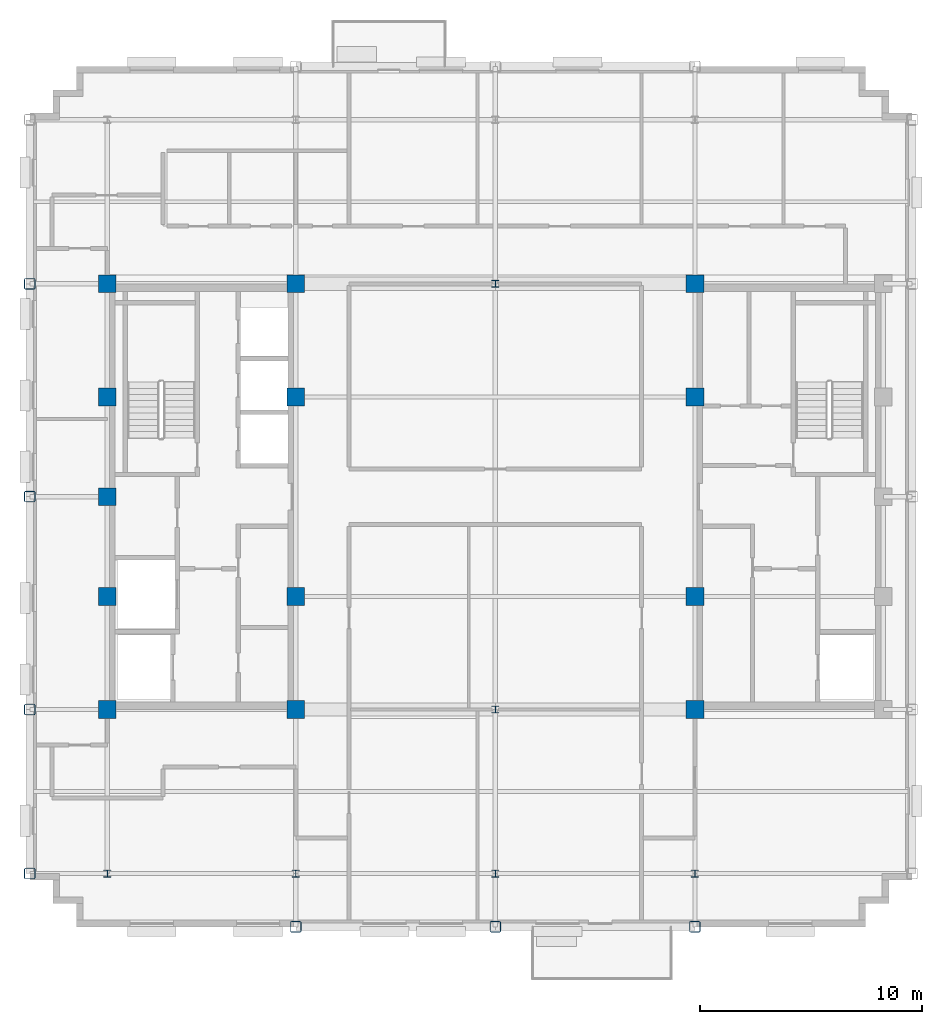
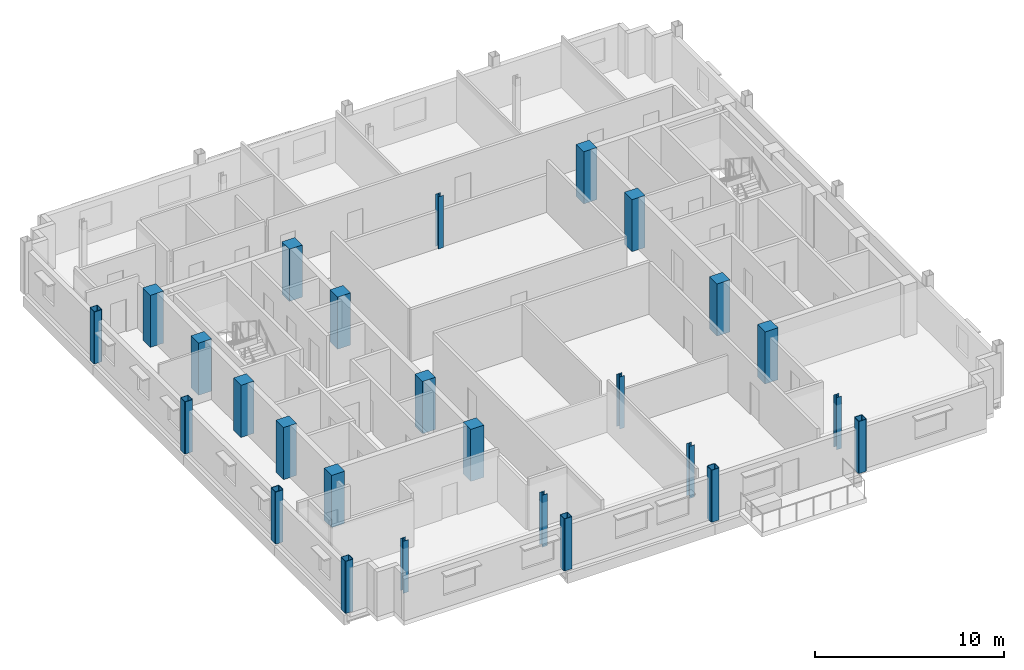
# One storey, part 1 of 13: 26 columns.
"""IFC4 building model written with IfcOpenShell, lengths in metres."""

from ifc_helpers import new_model, si_unit, direction, frame, origin, origin_2d, place, context, subcontext, project, spatial, rectangle, hollow_rectangle, i_section, extrude, material, material_profile, profile_set, type_object, element, save


model = new_model("IFC4")

# Units and contexts
model_context = context("Model", 3, precision=1e-05, world=origin(), true_north=direction((0.0, 1.0)))
body_context = subcontext(model_context, "Body", "Model", "MODEL_VIEW")
ifc_project = project(units=[si_unit("LENGTHUNIT", "METRE"), si_unit("AREAUNIT", "SQUARE_METRE"), si_unit("VOLUMEUNIT", "CUBIC_METRE"), si_unit("PLANEANGLEUNIT", "RADIAN"), si_unit("MASSUNIT", "GRAM", prefix="KILO")], contexts=[model_context])

# Site, building, storey
site_placement = place(None, origin())
site = spatial("IfcSite", under=ifc_project, at=site_placement, CompositionType="ELEMENT")
building_placement = place(site_placement, origin())
building = spatial("IfcBuilding", under=site, at=building_placement, Name="Nuvemarco Arch Tower", CompositionType="ELEMENT")
storey_placement = place(building_placement, frame((0.0, 0.0, 257.949951171875)))
storey = spatial("IfcBuildingStorey", under=building, at=storey_placement, Name="L68", CompositionType="ELEMENT", Elevation=257.949951171875)

# Columns
ifc_material_1 = material(Name="Concrete C50/60", Category="concrete")
ifc_material_profile_1 = material_profile(ifc_material_1, rectangle(XDim=0.800048828125, YDim=0.800048828125, at=origin_2d()), Name="RC-COL-800x800")
ifc_profile_set_1 = profile_set([ifc_material_profile_1], Name="Concrete C50/60")
column_type_1 = type_object("IfcColumnType", Name="COL-CORE-800", PredefinedType="COLUMN", material=ifc_profile_set_1)
for number, where, z_axis, x_axis, name in (
    (1, (-17.5, -9.60009765625, 0.0), (0.0, 0.0, 1.0), (1.0, 0.0, 0.0), "L68 column CC_-17.5_-9.6"),
    (2, (-17.5, -4.5, 0.0), (0.0, 0.0, 1.0), (1.0, 0.0, 0.0), "L68 column CC_-17.5_-4.5"),
    (3, (-17.5, 4.5, 0.0), (0.0, 0.0, 1.0), (1.0, 0.0, 0.0), "L68 column CC_-17.5_+4.5"),
    (4, (-17.5, 9.60009765625, 0.0), (0.0, 0.0, 1.0), (1.0, 0.0, 0.0), "L68 column CC_-17.5_+9.6"),
    (5, (-9.0, -9.60009765625, 0.0), (0.0, 0.0, 1.0), (1.0, 0.0, 0.0), "L68 column CC_-9.0_-9.6"),
    (6, (-9.0, -4.5, 0.0), (0.0, 0.0, 1.0), (1.0, 0.0, 0.0), "L68 column CC_-9.0_-4.5"),
    (7, (-9.0, 4.5, 0.0), (0.0, 0.0, 1.0), (1.0, 0.0, 0.0), "L68 column CC_-9.0_+4.5"),
    (8, (-9.0, 9.60009765625, 0.0), (0.0, 0.0, 1.0), (1.0, 0.0, 0.0), "L68 column CC_-9.0_+9.6"),
    (9, (9.0, -9.60009765625, 0.0), (0.0, 0.0, 1.0), (1.0, 0.0, 0.0), "L68 column CC_+9.0_-9.6"),
    (10, (9.0, -4.5, 0.0), (0.0, 0.0, 1.0), (1.0, 0.0, 0.0), "L68 column CC_+9.0_-4.5"),
    (11, (9.0, 4.5, 0.0), (0.0, 0.0, 1.0), (1.0, 0.0, 0.0), "L68 column CC_+9.0_+4.5"),
    (12, (9.0, 9.60009765625, 0.0), (0.0, 0.0, 1.0), (1.0, 0.0, 0.0), "L68 column CC_+9.0_+9.6"),
    (13, (-17.5, 0.0, 0.0), (0.0, 0.0, 1.0), (1.0, 0.0, 0.0), "L68 column CC_-17.5_+0.0"),
):
    element("IfcColumn", number, at=place(storey_placement, frame(where, z_axis=z_axis, x_axis=x_axis)), inside=storey, type_object=column_type_1, Name=name, PredefinedType="COLUMN", context=body_context, shape_type="SweptSolid", body=[
        extrude(rectangle(XDim=0.800048828125, YDim=0.800048828125, at=origin_2d()), origin(), (0.0, 0.0, 1.0), 3.3701171875),
    ])
ifc_material_2 = material(Name="Steel S355", Category="steel")
ifc_material_profile_2 = material_profile(ifc_material_2, hollow_rectangle(XDim=0.5, YDim=0.5, WallThickness=0.031982421875, InnerFilletRadius=0.031982421875, OuterFilletRadius=0.06396484375, at=origin_2d()), Name="SHS500x500x32")
ifc_profile_set_2 = profile_set([ifc_material_profile_2], Name="Steel S355")
column_type_2 = type_object("IfcColumnType", Name="COL-EXO-500", PredefinedType="COLUMN", material=ifc_profile_set_2)
for number, where, z_axis, x_axis, name in (
    (14, (-21.0, -17.0, 0.0), (0.0, 0.0, 1.0), (1.0, 0.0, 0.0), "L68 column CX_-21.0_-17.0"),
    (15, (-21.0, -9.60009765625, 0.0), (0.0, 0.0, 1.0), (1.0, 0.0, 0.0), "L68 column CX_-21.0_-9.6"),
    (16, (-21.0, 0.0, 0.0), (0.0, 0.0, 1.0), (1.0, 0.0, 0.0), "L68 column CX_-21.0_+0.0"),
    (17, (-21.0, 9.60009765625, 0.0), (0.0, 0.0, 1.0), (1.0, 0.0, 0.0), "L68 column CX_-21.0_+9.6"),
    (18, (-9.0, -19.39990234375, 0.0), (0.0, 0.0, 1.0), (1.0, 0.0, 0.0), "L68 column CY_-9.0_-19.4"),
    (19, (0.0, -19.39990234375, 0.0), (0.0, 0.0, 1.0), (1.0, 0.0, 0.0), "L68 column CY_+0.0_-19.4"),
    (20, (9.0, -19.39990234375, 0.0), (0.0, 0.0, 1.0), (1.0, 0.0, 0.0), "L68 column CY_+9.0_-19.4"),
):
    element("IfcColumn", number, at=place(storey_placement, frame(where, z_axis=z_axis, x_axis=x_axis)), inside=storey, type_object=column_type_2, Name=name, PredefinedType="COLUMN", context=body_context, shape_type="SweptSolid", body=[
        extrude(hollow_rectangle(XDim=0.5, YDim=0.5, WallThickness=0.031982421875, InnerFilletRadius=0.031982421875, OuterFilletRadius=0.06396484375, at=origin_2d()), origin(), (0.0, 0.0, 1.0), 3.3701171875),
    ])
ifc_material_profile_3 = material_profile(ifc_material_2, i_section(OverallWidth=0.31005859375, OverallDepth=0.31005859375, WebThickness=0.015380859375, FlangeThickness=0.015380859375, FilletRadius=0.014892578125, at=origin_2d()), Name="HP310x110")
ifc_profile_set_3 = profile_set([ifc_material_profile_3], Name="Steel S355")
column_type_3 = type_object("IfcColumnType", Name="COL-STL-HP310", PredefinedType="COLUMN", material=ifc_profile_set_3)
for number, where, z_axis, x_axis, name in (
    (21, (0.0, -17.0, 0.0), (0.0, 0.0, 1.0), (1.0, 0.0, 0.0), "L68 column CI_+0.0_-17.0"),
    (22, (0.0, -9.60009765625, 0.0), (0.0, 0.0, 1.0), (1.0, 0.0, 0.0), "L68 column CI_+0.0_-9.6"),
    (23, (0.0, 9.60009765625, 0.0), (0.0, 0.0, 1.0), (1.0, 0.0, 0.0), "L68 column CI_+0.0_+9.6"),
    (24, (-17.5, -17.0, 0.0), (0.0, 0.0, 1.0), (1.0, 0.0, 0.0), "L68 column CI_-17.5_-17.0"),
    (25, (-9.0, -17.0, 0.0), (0.0, 0.0, 1.0), (1.0, 0.0, 0.0), "L68 column CI_-9.0_-17.0"),
    (26, (9.0, -17.0, 0.0), (0.0, 0.0, 1.0), (1.0, 0.0, 0.0), "L68 column CI_+9.0_-17.0"),
):
    element("IfcColumn", number, at=place(storey_placement, frame(where, z_axis=z_axis, x_axis=x_axis)), inside=storey, type_object=column_type_3, Name=name, PredefinedType="COLUMN", context=body_context, shape_type="SweptSolid", body=[
        extrude(i_section(OverallWidth=0.31005859375, OverallDepth=0.31005859375, WebThickness=0.015380859375, FlangeThickness=0.015380859375, FilletRadius=0.014892578125, at=origin_2d()), origin(), (0.0, 0.0, 1.0), 3.3701171875),
    ])

save(model, "model.ifc")
